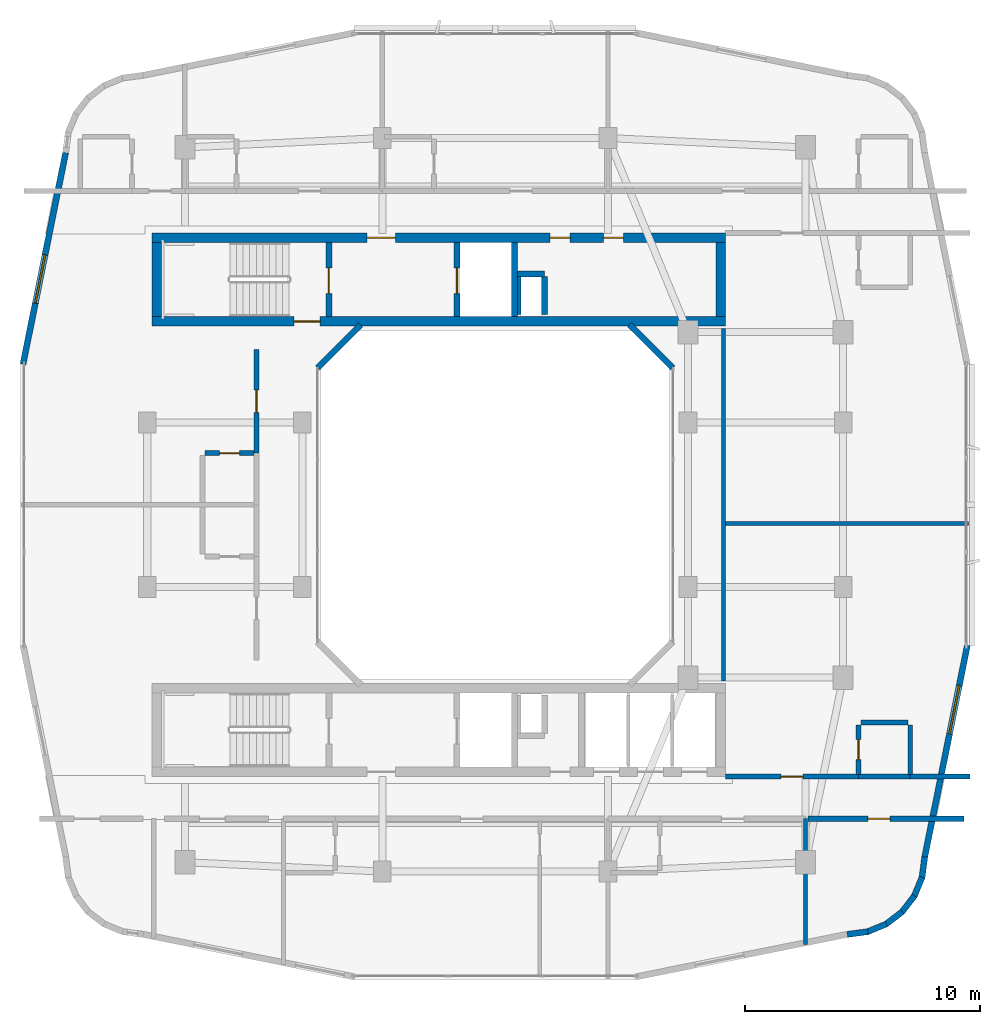
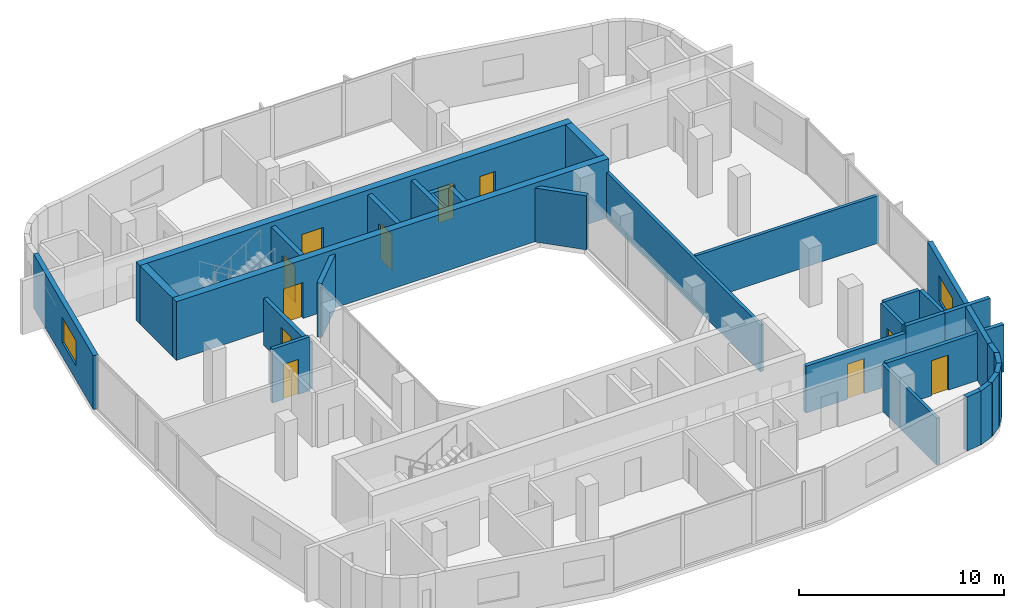
# One storey, part 8 of 14: 32 walls, 11 doors, 2 windows, 13 openings.
"""IFC4 building model written with IfcOpenShell, lengths in metres."""

from ifc_helpers import new_model, si_unit, derived_unit, direction, frame, frame_2d, origin, place, context, subcontext, project, spatial, rectangle, extrude, material, layer, layer_set, type_object, element, fill, save


model = new_model("IFC4")

# Units and contexts
model_context = context("Model", 3, precision=1e-05, world=origin(), true_north=direction((0.0, 1.0)))
body_context = subcontext(model_context, "Body", "Model", "MODEL_VIEW")
ifc_project = project(units=[si_unit("LENGTHUNIT", "METRE"), si_unit("AREAUNIT", "SQUARE_METRE"), si_unit("VOLUMEUNIT", "CUBIC_METRE"), si_unit("PLANEANGLEUNIT", "RADIAN"), si_unit("MASSUNIT", "GRAM", prefix="KILO"), derived_unit("THERMALTRANSMITTANCEUNIT", [(si_unit("POWERUNIT", "WATT"), 1), (si_unit("LENGTHUNIT", "METRE"), -2), (si_unit("THERMODYNAMICTEMPERATUREUNIT", "KELVIN"), -1)])], contexts=[model_context])

# Site, building, storey
site_placement = place(None, origin())
site = spatial("IfcSite", under=ifc_project, at=site_placement, CompositionType="ELEMENT")
building_placement = place(site_placement, origin())
building = spatial("IfcBuilding", under=site, at=building_placement, Name="Kivonza Crest Hotel", CompositionType="ELEMENT")
storey_placement = place(building_placement, frame((0.0, 0.0, 162.5)))
storey = spatial("IfcBuildingStorey", under=building, at=storey_placement, Name="L44", CompositionType="ELEMENT", Elevation=162.5)

# Walls
ifc_material_1 = material(Name="High-density acoustic masonry inter-tenancy wall", Category="masonry")
ifc_layer_1 = layer(ifc_material_1, 0.179931640625)
ifc_layer_set_1 = layer_set([ifc_layer_1], Name="High-density acoustic masonry inter-tenancy wall")
wall_type_1 = type_object("IfcWallType", Name="WL-ACOU-180", PredefinedType="SOLIDWALL", material=ifc_layer_set_1)
wall_1_placement = place(storey_placement, frame((34.199951171875, 6.299072265625, 0.0), z_axis=(0.0, 0.0, 1.0), x_axis=(0.0, 1.0, 0.0)))
element("IfcWall", 1, at=wall_1_placement, inside=storey, type_object=wall_type_1, Name="L44 interior partition WA-L44-T1S-DIV3", PredefinedType="SOLIDWALL", context=body_context, shape_type="SweptSolid", body=[
    extrude(rectangle(XDim=5.350830078125, YDim=0.179931640625, at=frame_2d((2.67529296875, 0.0))), origin(), (0.0, 0.0, 1.0), 2.794921875),
])
wall_2_placement = place(storey_placement, frame((30.800048828125, 24.199951171875, 0.0), z_axis=(0.0, 0.0, 1.0), x_axis=(1.0, 0.0, 0.0)))
element("IfcWall", 2, at=wall_2_placement, inside=storey, type_object=wall_type_1, Name="L44 interior partition WA-L44-T1EC-DIV", PredefinedType="SOLIDWALL", context=body_context, shape_type="SweptSolid", body=[
    extrude(rectangle(XDim=10.33984375, YDim=0.179931640625, at=frame_2d((5.169921875, 0.0))), origin(), (0.0, 0.0, 1.0), 2.8349609375),
])
wall_3_placement = place(storey_placement, frame((30.7099609375, 17.5, 0.0), z_axis=(0.0, 0.0, 1.0), x_axis=(0.0, 1.0, 0.0)))
element("IfcWall", 3, at=wall_3_placement, inside=storey, type_object=wall_type_1, Name="L44 interior partition WA-L44-T1EC-W", PredefinedType="SOLIDWALL", context=body_context, shape_type="SweptSolid", body=[
    extrude(rectangle(XDim=15.0, YDim=0.179931640625, at=frame_2d((7.5, 0.0))), origin(), (0.0, 0.0, 1.0), 2.794921875),
])

# Wall, opening, door
ifc_material_2 = material(Name="Autoclaved aerated concrete blockwork", Category="masonry")
ifc_layer_2 = layer(ifc_material_2, 0.219970703125)
ifc_layer_set_2 = layer_set([ifc_layer_2], Name="Autoclaved aerated concrete blockwork")
wall_type_2 = type_object("IfcWallType", Name="WL-ACOU-220", PredefinedType="SOLIDWALL", material=ifc_layer_set_2)
wall_4_placement = place(storey_placement, frame((34.300048828125, 11.64990234375, 0.0), z_axis=(0.0, 0.0, 1.0), x_axis=(1.0, 0.0, 0.0)))
wall_4 = element("IfcWall", 4, at=wall_4_placement, inside=storey, type_object=wall_type_2, Name="L44 interior partition WA-L44-BUS-MTG-N", PredefinedType="SOLIDWALL", context=body_context, shape_type="SweptSolid", body=[
    extrude(rectangle(XDim=6.639892578125, YDim=0.219970703125, at=frame_2d((3.31982421875, 0.0))), origin(), (0.0, 0.0, 1.0), 2.8349609375),
])
opening_1_placement = place(wall_4_placement, frame((2.550048828125, 0.0, 0.0)))
opening_1 = element("IfcOpeningElement", 5, at=opening_1_placement, cuts=wall_4, Name="Opening DF-60S", PredefinedType="OPENING", context=body_context, shape_type="SweptSolid", body=[
    extrude(rectangle(XDim=0.949951171875, YDim=2.10009765625, at=frame_2d((0.47509765625, 1.050048828125))), frame((0.0, 0.1201171875, 0.0), z_axis=(0.0, -1.0, 0.0), x_axis=(1.0, 0.0, 0.0)), (0.0, 0.0, 1.0), 0.239990234375),
])
ifc_material_3 = material(Name="Hardwood timber oak", Category="wood")
door_type_1 = type_object("IfcDoorType", Name="DR-FD60-950", OperationType="NOTDEFINED", PredefinedType="DOOR", material=ifc_material_3)
door_1_placement = place(opening_1_placement, frame((0.949951171875, 0.0, 0.0), z_axis=(0.0, 0.0, 1.0), x_axis=(-1.0, 0.0, 0.0)))
door_1 = element("IfcDoor", 6, at=door_1_placement, inside=storey, type_object=door_type_1, Name="L44 Private Fitness Gym Studio door", OperationType="SINGLE_SWING_RIGHT", OverallHeight=2.10009765625, OverallWidth=0.949951171875, PredefinedType="DOOR", context=body_context, shape_type="SweptSolid", body=[
    extrude(rectangle(XDim=0.949951171875, YDim=2.10009765625, at=frame_2d((0.47509765625, 1.050048828125))), frame((0.0, 0.02490234375, 0.0), z_axis=(0.0, -1.0, 0.0), x_axis=(1.0, 0.0, 0.0)), (0.0, 0.0, 1.0), 0.050048828125),
])
fill(opening_1, door_1)

wall_5_placement = place(storey_placement, frame((10.85009765625, 27.199951171875, 0.0), z_axis=(0.0, 0.0, 1.0), x_axis=(0.0, 1.0, 0.0)))
wall_5 = element("IfcWall", 7, at=wall_5_placement, inside=storey, type_object=wall_type_2, Name="L44 interior partition WA-L44-W08-MCORR", PredefinedType="SOLIDWALL", context=body_context, shape_type="SweptSolid", body=[
    extrude(rectangle(XDim=4.400146484375, YDim=0.219970703125, at=frame_2d((2.2001953125, 0.0))), origin(), (0.0, 0.0, 1.0), 2.794921875),
])
opening_2_placement = place(wall_5_placement, frame((1.72509765625, 0.0, 0.0)))
opening_2 = element("IfcOpeningElement", 8, at=opening_2_placement, cuts=wall_5, Name="Opening DU-60", PredefinedType="OPENING", context=body_context, shape_type="SweptSolid", body=[
    extrude(rectangle(XDim=0.949951171875, YDim=2.10009765625, at=frame_2d((0.47509765625, 1.050048828125))), frame((0.0, 0.1201171875, 0.0), z_axis=(0.0, -1.0, 0.0), x_axis=(1.0, 0.0, 0.0)), (0.0, 0.0, 1.0), 0.239990234375),
])
door_type_2 = type_object("IfcDoorType", Name="DR-UNIT-950", OperationType="NOTDEFINED", PredefinedType="DOOR", material=ifc_material_3)
door_2_placement = place(opening_2_placement, origin())
door_2 = element("IfcDoor", 9, at=door_2_placement, inside=storey, type_object=door_type_2, Name="L44 W08 guest unit entrance fire door", OperationType="SINGLE_SWING_RIGHT", OverallHeight=2.10009765625, OverallWidth=0.949951171875, PredefinedType="DOOR", context=body_context, shape_type="SweptSolid", body=[
    extrude(rectangle(XDim=0.949951171875, YDim=2.10009765625, at=frame_2d((0.47509765625, 1.050048828125))), frame((0.0, 0.02490234375, 0.0), z_axis=(0.0, -1.0, 0.0), x_axis=(1.0, 0.0, 0.0)), (0.0, 0.0, 1.0), 0.050048828125),
])
fill(opening_2, door_2)

# Walls
wall_6_placement = place(storey_placement, frame((38.64990234375, 13.43994140625, 0.0), z_axis=(0.0, 0.0, 1.0), x_axis=(1.0, 0.0, 0.0)))
element("IfcWall", 10, at=wall_6_placement, inside=storey, type_object=wall_type_2, Name="L44 interior partition WA-L44-ES09-XCORR", PredefinedType="SOLIDWALL", context=body_context, shape_type="SweptSolid", body=[
    extrude(rectangle(XDim=2.550048828125, YDim=0.219970703125, at=frame_2d((1.27490234375, 0.0))), origin(), (0.0, 0.0, 1.0), 3.219970703125),
])
wall_7_placement = place(storey_placement, frame((36.449951171875, 13.43994140625, 0.0), z_axis=(0.0, 0.0, 1.0), x_axis=(1.0, 0.0, 0.0)))
element("IfcWall", 11, at=wall_7_placement, inside=storey, type_object=wall_type_2, Name="L44 interior partition WA-L44-ES09-BCORR", PredefinedType="SOLIDWALL", context=body_context, shape_type="SweptSolid", body=[
    extrude(rectangle(XDim=2.199951171875, YDim=0.219970703125, at=frame_2d((1.10009765625, 0.0))), origin(), (0.0, 0.0, 1.0), 3.219970703125),
])

# Wall, opening, door
wall_8_placement = place(storey_placement, frame((30.800048828125, 13.43994140625, 0.0), z_axis=(0.0, 0.0, 1.0), x_axis=(1.0, 0.0, 0.0)))
wall_8 = element("IfcWall", 12, at=wall_8_placement, inside=storey, type_object=wall_type_2, Name="L44 interior partition WA-L44-ES09-MCORR", PredefinedType="SOLIDWALL", context=body_context, shape_type="SweptSolid", body=[
    extrude(rectangle(XDim=5.64990234375, YDim=0.219970703125, at=frame_2d((2.824951171875, 0.0))), origin(), (0.0, 0.0, 1.0), 2.794921875),
])
opening_3_placement = place(wall_8_placement, frame((2.35009765625, 0.0, 0.0)))
opening_3 = element("IfcOpeningElement", 13, at=opening_3_placement, cuts=wall_8, Name="Opening DU-60", PredefinedType="OPENING", context=body_context, shape_type="SweptSolid", body=[
    extrude(rectangle(XDim=0.949951171875, YDim=2.10009765625, at=frame_2d((0.47509765625, 1.050048828125))), frame((0.0, 0.1201171875, 0.0), z_axis=(0.0, -1.0, 0.0), x_axis=(1.0, 0.0, 0.0)), (0.0, 0.0, 1.0), 0.239990234375),
])
door_3_placement = place(opening_3_placement, origin())
door_3 = element("IfcDoor", 14, at=door_3_placement, inside=storey, type_object=door_type_2, Name="L44 ES09 guest unit entrance fire door", OperationType="SINGLE_SWING_RIGHT", OverallHeight=2.10009765625, OverallWidth=0.949951171875, PredefinedType="DOOR", context=body_context, shape_type="SweptSolid", body=[
    extrude(rectangle(XDim=0.949951171875, YDim=2.10009765625, at=frame_2d((0.47509765625, 1.050048828125))), frame((0.0, 0.02490234375, 0.0), z_axis=(0.0, -1.0, 0.0), x_axis=(1.0, 0.0, 0.0)), (0.0, 0.0, 1.0), 0.050048828125),
])
fill(opening_3, door_3)

ifc_material_4 = material(Name="Concrete C50/60", Category="concrete")
ifc_layer_3 = layer(ifc_material_4, 0.39990234375)
ifc_layer_set_3 = layer_set([ifc_layer_3], Name="Concrete C50/60")
wall_type_3 = type_object("IfcWallType", Name="WL-CORE-400", PredefinedType="SHEAR", material=ifc_layer_set_3)
wall_9_placement = place(storey_placement, frame((6.39990234375, 32.800048828125, 0.0), z_axis=(0.0, 0.0, 1.0), x_axis=(1.0, 0.0, 0.0)))
wall_9 = element("IfcWall", 15, at=wall_9_placement, inside=storey, type_object=wall_type_3, Name="Core wall T1-N South L44", PredefinedType="SHEAR", context=body_context, shape_type="SweptSolid", body=[
    extrude(rectangle(XDim=24.400146484375, YDim=0.39990234375, at=frame_2d((12.2001953125, 0.0))), origin(), (0.0, 0.0, 1.0), 3.5),
])
opening_4_placement = place(wall_9_placement, frame((6.050048828125, 0.0, 0.0)))
opening_4 = element("IfcOpeningElement", 16, at=opening_4_placement, cuts=wall_9, Name="Opening DF-120", PredefinedType="OPENING", context=body_context, shape_type="SweptSolid", body=[
    extrude(rectangle(XDim=1.10009765625, YDim=2.14990234375, at=frame_2d((0.550048828125, 1.074951171875))), frame((0.0, 0.2099609375, 0.0), z_axis=(0.0, -1.0, 0.0), x_axis=(1.0, 0.0, 0.0)), (0.0, 0.0, 1.0), 0.419921875),
])
ifc_material_5 = material(Name="Galvanised steel", Category="steel")
door_type_3 = type_object("IfcDoorType", Name="DR-FD120-1100", OperationType="NOTDEFINED", PredefinedType="DOOR", material=ifc_material_5)
door_4_placement = place(opening_4_placement, origin())
door_4 = element("IfcDoor", 17, at=door_4_placement, inside=storey, type_object=door_type_3, Name="L44 West corridor stair access fire door", OperationType="SINGLE_SWING_LEFT", OverallHeight=2.14990234375, OverallWidth=1.10009765625, PredefinedType="DOOR", context=body_context, shape_type="SweptSolid", body=[
    extrude(rectangle(XDim=1.10009765625, YDim=2.14990234375, at=frame_2d((0.550048828125, 1.074951171875))), frame((0.0, 0.02490234375, 0.0), z_axis=(0.0, -1.0, 0.0), x_axis=(1.0, 0.0, 0.0)), (0.0, 0.0, 1.0), 0.050048828125),
])
fill(opening_4, door_4)

# Wall, openings, doors
wall_10_placement = place(storey_placement, frame((6.39990234375, 36.360107421875, 0.0), z_axis=(0.0, 0.0, 1.0), x_axis=(1.0, 0.0, 0.0)))
wall_10 = element("IfcWall", 18, at=wall_10_placement, inside=storey, type_object=wall_type_3, Name="Core wall T1-N North L44", PredefinedType="SHEAR", context=body_context, shape_type="SweptSolid", body=[
    extrude(rectangle(XDim=24.400146484375, YDim=0.39990234375, at=frame_2d((12.2001953125, 0.0))), origin(), (0.0, 0.0, 1.0), 3.5),
])
opening_5_placement = place(wall_10_placement, frame((9.14990234375, 0.0, 0.0)))
opening_5 = element("IfcOpeningElement", 19, at=opening_5_placement, cuts=wall_10, Name="Opening DF-60", PredefinedType="OPENING", context=body_context, shape_type="SweptSolid", body=[
    extrude(rectangle(XDim=1.199951171875, YDim=2.14990234375, at=frame_2d((0.60009765625, 1.074951171875))), frame((0.0, 0.2099609375, 0.0), z_axis=(0.0, -1.0, 0.0), x_axis=(1.0, 0.0, 0.0)), (0.0, 0.0, 1.0), 0.419921875),
])
opening_6_placement = place(wall_10_placement, frame((19.199951171875, 0.0, 0.0)))
opening_6 = element("IfcOpeningElement", 20, at=opening_6_placement, cuts=wall_10, Name="Opening DF-60R", PredefinedType="OPENING", context=body_context, shape_type="SweptSolid", body=[
    extrude(rectangle(XDim=0.85009765625, YDim=2.10009765625, at=frame_2d((0.425048828125, 1.050048828125))), frame((0.0, 0.2099609375, 0.0), z_axis=(0.0, -1.0, 0.0), x_axis=(1.0, 0.0, 0.0)), (0.0, 0.0, 1.0), 0.419921875),
])
opening_7_placement = place(wall_10_placement, frame((16.93994140625, 0.0, 0.0)))
opening_7 = element("IfcOpeningElement", 21, at=opening_7_placement, cuts=wall_10, Name="Opening DF-60R", PredefinedType="OPENING", context=body_context, shape_type="SweptSolid", body=[
    extrude(rectangle(XDim=0.85009765625, YDim=2.10009765625, at=frame_2d((0.425048828125, 1.050048828125))), frame((0.0, 0.2099609375, 0.0), z_axis=(0.0, -1.0, 0.0), x_axis=(1.0, 0.0, 0.0)), (0.0, 0.0, 1.0), 0.419921875),
])
door_type_4 = type_object("IfcDoorType", Name="DR-FD60-1200", OperationType="NOTDEFINED", PredefinedType="DOOR", material=ifc_material_3)
door_5_placement = place(opening_5_placement, origin())
door_5 = element("IfcDoor", 22, at=door_5_placement, inside=storey, type_object=door_type_4, Name="L44 T1-N firefighting lobby fire door", OperationType="SINGLE_SWING_RIGHT", OverallHeight=2.14990234375, OverallWidth=1.199951171875, PredefinedType="DOOR", context=body_context, shape_type="SweptSolid", body=[
    extrude(rectangle(XDim=1.199951171875, YDim=2.14990234375, at=frame_2d((0.60009765625, 1.074951171875))), frame((0.0, 0.02490234375, 0.0), z_axis=(0.0, -1.0, 0.0), x_axis=(1.0, 0.0, 0.0)), (0.0, 0.0, 1.0), 0.050048828125),
])
fill(opening_5, door_5)
door_type_5 = type_object("IfcDoorType", Name="DR-FD60-850", OperationType="NOTDEFINED", PredefinedType="DOOR", material=ifc_material_3)
door_6_placement = place(opening_6_placement, origin())
door_6 = element("IfcDoor", 23, at=door_6_placement, inside=storey, type_object=door_type_5, Name="L44 T1-N reclaimed core service door", OperationType="SINGLE_SWING_LEFT", OverallHeight=2.10009765625, OverallWidth=0.85009765625, PredefinedType="DOOR", context=body_context, shape_type="SweptSolid", body=[
    extrude(rectangle(XDim=0.85009765625, YDim=2.10009765625, at=frame_2d((0.425048828125, 1.050048828125))), frame((0.0, 0.02490234375, 0.0), z_axis=(0.0, -1.0, 0.0), x_axis=(1.0, 0.0, 0.0)), (0.0, 0.0, 1.0), 0.050048828125),
])
fill(opening_6, door_6)
door_7_placement = place(opening_7_placement, origin())
door_7 = element("IfcDoor", 24, at=door_7_placement, inside=storey, type_object=door_type_5, Name="L44 T1-N core room door", OperationType="SINGLE_SWING_RIGHT", OverallHeight=2.10009765625, OverallWidth=0.85009765625, PredefinedType="DOOR", context=body_context, shape_type="SweptSolid", body=[
    extrude(rectangle(XDim=0.85009765625, YDim=2.10009765625, at=frame_2d((0.425048828125, 1.050048828125))), frame((0.0, 0.02490234375, 0.0), z_axis=(0.0, -1.0, 0.0), x_axis=(1.0, 0.0, 0.0)), (0.0, 0.0, 1.0), 0.050048828125),
])
fill(opening_7, door_7)

# Walls
for number, where, z_axis, x_axis, name in (
    (25, (6.60009765625, 33.0, 0.0), (0.0, 0.0, 1.0), (0.0, 1.0, 0.0), "Core wall T1-N West L44"),
    (26, (30.60009765625, 33.0, 0.0), (0.0, 0.0, 1.0), (0.0, 1.0, 0.0), "Core wall T1-N East L44"),
):
    element("IfcWall", number, at=place(storey_placement, frame(where, z_axis=z_axis, x_axis=x_axis)), inside=storey, type_object=wall_type_3, Name=name, PredefinedType="SHEAR", context=body_context, shape_type="SweptSolid", body=[
        extrude(rectangle(XDim=3.159912109375, YDim=0.39990234375, at=frame_2d((1.580078125, 0.0))), origin(), (0.0, 0.0, 1.0), 3.5),
    ])
ifc_material_6 = material(Name="Precast concrete C40/50", Category="concrete")
ifc_layer_4 = layer(ifc_material_6, 0.260009765625)
ifc_layer_set_4 = layer_set([ifc_layer_4], Name="Precast concrete C40/50")
wall_type_4 = type_object("IfcWallType", Name="WL-EXT-260", PredefinedType="STANDARD", material=ifc_layer_set_4)
wall_11_placement = place(storey_placement, frame((35.97509765625, 6.72802734375, 0.0), z_axis=(0.0, 0.0, 1.0), x_axis=(0.991388484223, 0.130953706898, 0.0)))
element("IfcWall", 27, at=wall_11_placement, inside=storey, type_object=wall_type_4, Name="L44 T1 exterior insulated wall 10", PredefinedType="STANDARD", context=body_context, shape_type="SweptSolid", body=[
    extrude(rectangle(XDim=0.885498046875, YDim=0.260009765625, at=frame_2d((0.44287109375, 0.0))), origin(), (0.0, 0.0, 1.0), 3.219970703125),
])
wall_12_placement = place(storey_placement, frame((36.806884765625, 6.825927734375, 0.0), z_axis=(0.0, 0.0, 1.0), x_axis=(0.923627776508, 0.383290660547, 0.0)))
element("IfcWall", 28, at=wall_12_placement, inside=storey, type_object=wall_type_4, Name="L44 T1 exterior insulated wall 11", PredefinedType="STANDARD", context=body_context, shape_type="SweptSolid", body=[
    extrude(rectangle(XDim=0.9033203125, YDim=0.260009765625, at=frame_2d((0.45166015625, 0.0))), origin(), (0.0, 0.0, 1.0), 3.219970703125),
])
wall_13_placement = place(storey_placement, frame((37.60107421875, 7.14404296875, 0.0), z_axis=(0.0, 0.0, 1.0), x_axis=(0.793458244748, 0.608624690463, 0.0)))
element("IfcWall", 29, at=wall_13_placement, inside=storey, type_object=wall_type_4, Name="L44 T1 exterior insulated wall 12", PredefinedType="STANDARD", context=body_context, shape_type="SweptSolid", body=[
    extrude(rectangle(XDim=0.902099609375, YDim=0.260009765625, at=frame_2d((0.451171875, 0.0))), origin(), (0.0, 0.0, 1.0), 3.219970703125),
])
wall_14_placement = place(storey_placement, frame((38.285888671875, 7.655029296875, 0.0), z_axis=(0.0, 0.0, 1.0), x_axis=(0.608494022858, 0.793558456666, 0.0)))
element("IfcWall", 30, at=wall_14_placement, inside=storey, type_object=wall_type_4, Name="L44 T1 exterior insulated wall 13", PredefinedType="STANDARD", context=body_context, shape_type="SweptSolid", body=[
    extrude(rectangle(XDim=0.90234375, YDim=0.260009765625, at=frame_2d((0.451171875, 0.0))), origin(), (0.0, 0.0, 1.0), 3.219970703125),
])
wall_15_placement = place(storey_placement, frame((38.81396484375, 8.326904296875, 0.0), z_axis=(0.0, 0.0, 1.0), x_axis=(0.383155708213, 0.923683767999, 0.0)))
element("IfcWall", 31, at=wall_15_placement, inside=storey, type_object=wall_type_4, Name="L44 T1 exterior insulated wall 14", PredefinedType="STANDARD", context=body_context, shape_type="SweptSolid", body=[
    extrude(rectangle(XDim=0.90283203125, YDim=0.260009765625, at=frame_2d((0.451416015625, 0.0))), origin(), (0.0, 0.0, 1.0), 3.219970703125),
])
wall_16_placement = place(storey_placement, frame((39.152099609375, 9.112060546875, 0.0), z_axis=(0.0, 0.0, 1.0), x_axis=(0.130200706103, 0.991487658083, 0.0)))
element("IfcWall", 32, at=wall_16_placement, inside=storey, type_object=wall_type_4, Name="L44 T1 exterior insulated wall 15", PredefinedType="STANDARD", context=body_context, shape_type="SweptSolid", body=[
    extrude(rectangle(XDim=0.920654296875, YDim=0.260009765625, at=frame_2d((0.46044921875, 0.0))), origin(), (0.0, 0.0, 1.0), 3.219970703125),
])

# Wall, opening, window
wall_17_placement = place(storey_placement, frame((39.27099609375, 10.01806640625, 0.0), z_axis=(0.0, 0.0, 1.0), x_axis=(0.197435082048, 0.980315963543, 0.0)))
wall_17 = element("IfcWall", 33, at=wall_17_placement, inside=storey, type_object=wall_type_4, Name="L44 T1 exterior insulated wall 16", PredefinedType="STANDARD", context=body_context, shape_type="SweptSolid", body=[
    extrude(rectangle(XDim=9.1826171875, YDim=0.260009765625, at=frame_2d((4.59130859375, 0.0))), origin(), (0.0, 0.0, 1.0), 3.219970703125),
])
opening_8_placement = place(wall_17_placement, frame((5.34912109375, 0.0, 0.85009765625)))
opening_8 = element("IfcOpeningElement", 34, at=opening_8_placement, cuts=wall_17, Name="Opening WN-04", PredefinedType="OPENING", context=body_context, shape_type="SweptSolid", body=[
    extrude(rectangle(XDim=2.10009765625, YDim=1.5, at=frame_2d((1.050048828125, 0.75))), frame((0.0, 0.14013671875, 0.0), z_axis=(0.0, -1.0, 0.0), x_axis=(1.0, 0.0, 0.0)), (0.0, 0.0, 1.0), 0.280029296875),
])
ifc_material_7 = material(Name="Thermally broken bronze aluminium and low-E double glazing", Category="aluminium")
window_type = type_object("IfcWindowType", Name="WN-210x150", PartitioningType="DOUBLE_PANEL_VERTICAL", PredefinedType="WINDOW", material=ifc_material_7)
window_1_placement = place(opening_8_placement, origin())
window_1 = element("IfcWindow", 35, at=window_1_placement, inside=storey, type_object=window_type, Name="L44 T1 facade window 16", OverallHeight=1.5, OverallWidth=2.10009765625, PartitioningType="SINGLE_PANEL", PredefinedType="WINDOW", context=body_context, shape_type="SweptSolid", body=[
    extrude(rectangle(XDim=2.10009765625, YDim=1.5, at=frame_2d((1.050048828125, 0.75))), frame((0.0, 0.030029296875, 0.0), z_axis=(0.0, -1.0, 0.0), x_axis=(1.0, 0.0, 0.0)), (0.0, 0.0, 1.0), 0.06005859375),
])
fill(opening_8, window_1)

wall_18_placement = place(storey_placement, frame((2.72900390625, 39.98193359375, 0.0), z_axis=(0.0, 0.0, 1.0), x_axis=(-0.197435082048, -0.980315963543, 0.0)))
wall_18 = element("IfcWall", 36, at=wall_18_placement, inside=storey, type_object=wall_type_4, Name="L44 T1 exterior insulated wall 34", PredefinedType="STANDARD", context=body_context, shape_type="SweptSolid", body=[
    extrude(rectangle(XDim=9.1826171875, YDim=0.260009765625, at=frame_2d((4.59130859375, 0.0))), origin(), (0.0, 0.0, 1.0), 3.219970703125),
])
opening_9_placement = place(wall_18_placement, frame((4.43603515625, 0.0, 0.85009765625)))
opening_9 = element("IfcOpeningElement", 37, at=opening_9_placement, cuts=wall_18, Name="Opening WN-04", PredefinedType="OPENING", context=body_context, shape_type="SweptSolid", body=[
    extrude(rectangle(XDim=2.10009765625, YDim=1.5, at=frame_2d((1.050048828125, 0.75))), frame((0.0, 0.14013671875, 0.0), z_axis=(0.0, -1.0, 0.0), x_axis=(1.0, 0.0, 0.0)), (0.0, 0.0, 1.0), 0.280029296875),
])
window_2_placement = place(opening_9_placement, origin())
window_2 = element("IfcWindow", 38, at=window_2_placement, inside=storey, type_object=window_type, Name="L44 T1 facade window 34", OverallHeight=1.5, OverallWidth=2.10009765625, PartitioningType="SINGLE_PANEL", PredefinedType="WINDOW", context=body_context, shape_type="SweptSolid", body=[
    extrude(rectangle(XDim=2.10009765625, YDim=1.5, at=frame_2d((1.050048828125, 0.75))), frame((0.0, 0.030029296875, 0.0), z_axis=(0.0, -1.0, 0.0), x_axis=(1.0, 0.0, 0.0)), (0.0, 0.0, 1.0), 0.06005859375),
])
fill(opening_9, window_2)

# Walls
for number, where, z_axis, x_axis, name in (
    (39, (28.555908203125, 30.827880859375, 0.0), (0.0, 0.0, 1.0), (-0.707059717605, 0.707153841636, 0.0), "L44 T1 light-well exterior wall 4"),
    (40, (15.278076171875, 32.662109375, 0.0), (0.0, 0.0, 1.0), (-0.707059717605, -0.707153841636, 0.0), "L44 T1 light-well exterior wall 6"),
):
    element("IfcWall", number, at=place(storey_placement, frame(where, z_axis=z_axis, x_axis=x_axis)), inside=storey, type_object=wall_type_4, Name=name, PredefinedType="STANDARD", context=body_context, shape_type="SweptSolid", body=[
        extrude(rectangle(XDim=2.59375, YDim=0.260009765625, at=frame_2d((1.296875, 0.0))), origin(), (0.0, 0.0, 1.0), 3.219970703125),
    ])
ifc_material_8 = material(Name="Concrete blockwork fire-compartment wall", Category="masonry")
ifc_layer_5 = layer(ifc_material_8, 0.25)
ifc_layer_set_5 = layer_set([ifc_layer_5], Name="Concrete blockwork fire-compartment wall")
wall_type_5 = type_object("IfcWallType", Name="WL-FIRE-250", PredefinedType="SOLIDWALL", material=ifc_layer_set_5)
wall_19_placement = place(storey_placement, frame((23.10009765625, 33.10009765625, 0.0), z_axis=(0.0, 0.0, 1.0), x_axis=(0.0, 1.0, 0.0)))
element("IfcWall", 41, at=wall_19_placement, inside=storey, type_object=wall_type_5, Name="L44 interior partition WA-L44-T1-N-MEPR-E", PredefinedType="SOLIDWALL", context=body_context, shape_type="SweptSolid", body=[
    extrude(rectangle(XDim=1.619873046875, YDim=0.25, at=frame_2d((0.81005859375, 0.0))), origin(), (0.0, 0.0, 1.0), 3.219970703125),
])
wall_20_placement = place(storey_placement, frame((21.949951171875, 34.820068359375, 0.0), z_axis=(0.0, 0.0, 1.0), x_axis=(1.0, 0.0, 0.0)))
element("IfcWall", 42, at=wall_20_placement, inside=storey, type_object=wall_type_5, Name="L44 interior partition WA-L44-T1-N-MEPR-H", PredefinedType="SOLIDWALL", context=body_context, shape_type="SweptSolid", body=[
    extrude(rectangle(XDim=1.150146484375, YDim=0.25, at=frame_2d((0.5751953125, 0.0))), origin(), (0.0, 0.0, 1.0), 3.219970703125),
])
ifc_material_9 = material(Name="Twin-stud acoustic gypsum board partition", Category="gypsum")
ifc_layer_6 = layer(ifc_material_9, 0.14990234375)
ifc_layer_set_6 = layer_set([ifc_layer_6], Name="Twin-stud acoustic gypsum board partition")
wall_type_6 = type_object("IfcWallType", Name="WL-PART-150", PredefinedType="PARTITIONING", material=ifc_layer_set_6)
wall_21_placement = place(storey_placement, frame((22.030029296875, 33.10009765625, 0.0), z_axis=(0.0, 0.0, 1.0), x_axis=(0.0, 1.0, 0.0)))
element("IfcWall", 43, at=wall_21_placement, inside=storey, type_object=wall_type_6, Name="L44 interior partition WA-L44-T1-N-MEPR-W", PredefinedType="PARTITIONING", context=body_context, shape_type="SweptSolid", body=[
    extrude(rectangle(XDim=1.619873046875, YDim=0.14990234375, at=frame_2d((0.81005859375, 0.0))), origin(), (0.0, 0.0, 1.0), 3.219970703125),
])

# Wall, opening, door
ifc_material_10 = material(Name="Moisture-resistant plumbing chase partition wall", Category="gypsum")
ifc_layer_7 = layer(ifc_material_10, 0.199951171875)
ifc_layer_set_7 = layer_set([ifc_layer_7], Name="Moisture-resistant plumbing chase partition wall")
wall_type_7 = type_object("IfcWallType", Name="WL-PLUMB-200", PredefinedType="PLUMBINGWALL", material=ifc_layer_set_7)
wall_22_placement = place(storey_placement, frame((8.64990234375, 27.199951171875, 0.0), z_axis=(0.0, 0.0, 1.0), x_axis=(1.0, 0.0, 0.0)))
wall_22 = element("IfcWall", 44, at=wall_22_placement, inside=storey, type_object=wall_type_7, Name="L44 interior partition WW-L44-W08-BH", PredefinedType="PLUMBINGWALL", context=body_context, shape_type="SweptSolid", body=[
    extrude(rectangle(XDim=2.10009765625, YDim=0.199951171875, at=frame_2d((1.050048828125, 0.0))), origin(), (0.0, 0.0, 1.0), 3.219970703125),
])
opening_10_placement = place(wall_22_placement, frame((0.625, 0.0, 0.0)))
opening_10 = element("IfcOpeningElement", 45, at=opening_10_placement, cuts=wall_22, Name="Opening DI-85", PredefinedType="OPENING", context=body_context, shape_type="SweptSolid", body=[
    extrude(rectangle(XDim=0.85009765625, YDim=2.10009765625, at=frame_2d((0.425048828125, 1.050048828125))), frame((0.0, 0.10986328125, 0.0), z_axis=(0.0, -1.0, 0.0), x_axis=(1.0, 0.0, 0.0)), (0.0, 0.0, 1.0), 0.219970703125),
])
door_type_6 = type_object("IfcDoorType", Name="DR-INT-850", OperationType="NOTDEFINED", PredefinedType="DOOR", material=ifc_material_3)
door_8_placement = place(opening_10_placement, origin())
door_8 = element("IfcDoor", 46, at=door_8_placement, inside=storey, type_object=door_type_6, Name="L44 W08 en-suite bathroom door", OperationType="SINGLE_SWING_LEFT", OverallHeight=2.10009765625, OverallWidth=0.85009765625, PredefinedType="DOOR", context=body_context, shape_type="SweptSolid", body=[
    extrude(rectangle(XDim=0.85009765625, YDim=2.10009765625, at=frame_2d((0.425048828125, 1.050048828125))), frame((0.0, 0.02490234375, 0.0), z_axis=(0.0, -1.0, 0.0), x_axis=(1.0, 0.0, 0.0)), (0.0, 0.0, 1.0), 0.050048828125),
])
fill(opening_10, door_8)

wall_23_placement = place(storey_placement, frame((36.449951171875, 13.5400390625, 0.0), z_axis=(0.0, 0.0, 1.0), x_axis=(0.0, 1.0, 0.0)))
wall_23 = element("IfcWall", 47, at=wall_23_placement, inside=storey, type_object=wall_type_7, Name="L44 interior partition WW-L44-ES09-BV", PredefinedType="PLUMBINGWALL", context=body_context, shape_type="SweptSolid", body=[
    extrude(rectangle(XDim=2.099853515625, YDim=0.199951171875, at=frame_2d((1.0498046875, 0.0))), origin(), (0.0, 0.0, 1.0), 3.219970703125),
])
opening_11_placement = place(wall_23_placement, frame((0.625, 0.0, 0.0)))
opening_11 = element("IfcOpeningElement", 48, at=opening_11_placement, cuts=wall_23, Name="Opening DI-85", PredefinedType="OPENING", context=body_context, shape_type="SweptSolid", body=[
    extrude(rectangle(XDim=0.85009765625, YDim=2.10009765625, at=frame_2d((0.425048828125, 1.050048828125))), frame((0.0, 0.10986328125, 0.0), z_axis=(0.0, -1.0, 0.0), x_axis=(1.0, 0.0, 0.0)), (0.0, 0.0, 1.0), 0.219970703125),
])
door_9_placement = place(opening_11_placement, origin())
door_9 = element("IfcDoor", 49, at=door_9_placement, inside=storey, type_object=door_type_6, Name="L44 ES09 en-suite bathroom door", OperationType="SINGLE_SWING_LEFT", OverallHeight=2.10009765625, OverallWidth=0.85009765625, PredefinedType="DOOR", context=body_context, shape_type="SweptSolid", body=[
    extrude(rectangle(XDim=0.85009765625, YDim=2.10009765625, at=frame_2d((0.425048828125, 1.050048828125))), frame((0.0, 0.02490234375, 0.0), z_axis=(0.0, -1.0, 0.0), x_axis=(1.0, 0.0, 0.0)), (0.0, 0.0, 1.0), 0.050048828125),
])
fill(opening_11, door_9)

# Walls
wall_24_placement = place(storey_placement, frame((36.550048828125, 15.739990234375, 0.0), z_axis=(0.0, 0.0, 1.0), x_axis=(1.0, 0.0, 0.0)))
element("IfcWall", 50, at=wall_24_placement, inside=storey, type_object=wall_type_7, Name="L44 interior partition WW-L44-ES09-BH", PredefinedType="PLUMBINGWALL", context=body_context, shape_type="SweptSolid", body=[
    extrude(rectangle(XDim=2.0, YDim=0.199951171875, at=frame_2d((1.0, 0.0))), origin(), (0.0, 0.0, 1.0), 3.219970703125),
])
wall_25_placement = place(storey_placement, frame((38.64990234375, 13.5400390625, 0.0), z_axis=(0.0, 0.0, 1.0), x_axis=(0.0, 1.0, 0.0)))
element("IfcWall", 51, at=wall_25_placement, inside=storey, type_object=wall_type_7, Name="L44 interior partition WW-L44-ES09-BVE", PredefinedType="PLUMBINGWALL", context=body_context, shape_type="SweptSolid", body=[
    extrude(rectangle(XDim=2.099853515625, YDim=0.199951171875, at=frame_2d((1.0498046875, 0.0))), origin(), (0.0, 0.0, 1.0), 3.219970703125),
])

# Wall, opening, door
ifc_layer_8 = layer(ifc_material_4, 0.25)
ifc_layer_set_8 = layer_set([ifc_layer_8], Name="Concrete C50/60")
wall_type_8 = type_object("IfcWallType", Name="WL-SHAFT-250", PredefinedType="STANDARD", material=ifc_layer_set_8)
wall_26_placement = place(storey_placement, frame((13.925048828125, 33.0, 0.0), z_axis=(0.0, 0.0, 1.0), x_axis=(0.0, 1.0, 0.0)))
wall_26 = element("IfcWall", 52, at=wall_26_placement, inside=storey, type_object=wall_type_8, Name="Core shaft wall T1-N STAIR L44", PredefinedType="STANDARD", context=body_context, shape_type="SweptSolid", body=[
    extrude(rectangle(XDim=3.159912109375, YDim=0.25, at=frame_2d((1.580078125, 0.0))), origin(), (0.0, 0.0, 1.0), 3.219970703125),
])
opening_12_placement = place(wall_26_placement, frame((0.97998046875, 0.0, 0.0)))
opening_12 = element("IfcOpeningElement", 53, at=opening_12_placement, cuts=wall_26, Name="Opening DF-120", PredefinedType="OPENING", context=body_context, shape_type="SweptSolid", body=[
    extrude(rectangle(XDim=1.10009765625, YDim=2.14990234375, at=frame_2d((0.550048828125, 1.074951171875))), frame((0.0, 0.135009765625, 0.0), z_axis=(0.0, -1.0, 0.0), x_axis=(1.0, 0.0, 0.0)), (0.0, 0.0, 1.0), 0.27001953125),
])
door_10_placement = place(opening_12_placement, frame((1.10009765625, 0.0, 0.0), z_axis=(0.0, 0.0, 1.0), x_axis=(-1.0, 0.0, 0.0)))
door_10 = element("IfcDoor", 54, at=door_10_placement, inside=storey, type_object=door_type_3, Name="L44 T1-N stair fire door", OperationType="SINGLE_SWING_LEFT", OverallHeight=2.14990234375, OverallWidth=1.10009765625, PredefinedType="DOOR", context=body_context, shape_type="SweptSolid", body=[
    extrude(rectangle(XDim=1.10009765625, YDim=2.14990234375, at=frame_2d((0.550048828125, 1.074951171875))), frame((0.0, 0.02490234375, 0.0), z_axis=(0.0, -1.0, 0.0), x_axis=(1.0, 0.0, 0.0)), (0.0, 0.0, 1.0), 0.050048828125),
])
fill(opening_12, door_10)

wall_27_placement = place(storey_placement, frame((19.375, 33.0, 0.0), z_axis=(0.0, 0.0, 1.0), x_axis=(0.0, 1.0, 0.0)))
wall_27 = element("IfcWall", 55, at=wall_27_placement, inside=storey, type_object=wall_type_8, Name="Core shaft wall T1-N FFL-W L44", PredefinedType="STANDARD", context=body_context, shape_type="SweptSolid", body=[
    extrude(rectangle(XDim=3.159912109375, YDim=0.25, at=frame_2d((1.580078125, 0.0))), origin(), (0.0, 0.0, 1.0), 3.219970703125),
])
opening_13_placement = place(wall_27_placement, frame((0.97998046875, 0.0, 0.0)))
opening_13 = element("IfcOpeningElement", 56, at=opening_13_placement, cuts=wall_27, Name="Opening LD-120", PredefinedType="OPENING", context=body_context, shape_type="SweptSolid", body=[
    extrude(rectangle(XDim=1.10009765625, YDim=2.14990234375, at=frame_2d((0.550048828125, 1.074951171875))), frame((0.0, 0.135009765625, 0.0), z_axis=(0.0, -1.0, 0.0), x_axis=(1.0, 0.0, 0.0)), (0.0, 0.0, 1.0), 0.27001953125),
])
ifc_material_11 = material(Name="Stainless steel", Category="steel")
door_type_7 = type_object("IfcDoorType", Name="DR-LD120-1100", OperationType="NOTDEFINED", PredefinedType="DOOR", material=ifc_material_11)
door_11_placement = place(opening_13_placement, origin())
door_11 = element("IfcDoor", 57, at=door_11_placement, inside=storey, type_object=door_type_7, Name="L44 FFL-T1-N firefighting lift sliding landing door", OperationType="DOUBLE_DOOR_SLIDING", OverallHeight=2.14990234375, OverallWidth=1.10009765625, PredefinedType="DOOR", context=body_context, shape_type="SweptSolid", body=[
    extrude(rectangle(XDim=1.10009765625, YDim=2.14990234375, at=frame_2d((0.550048828125, 1.074951171875))), frame((0.0, 0.02490234375, 0.0), z_axis=(0.0, -1.0, 0.0), x_axis=(1.0, 0.0, 0.0)), (0.0, 0.0, 1.0), 0.050048828125),
])
fill(opening_13, door_11)

# Wall
wall_28_placement = place(storey_placement, frame((21.824951171875, 33.0, 0.0), z_axis=(0.0, 0.0, 1.0), x_axis=(0.0, 1.0, 0.0)))
element("IfcWall", 58, at=wall_28_placement, inside=storey, type_object=wall_type_8, Name="Core shaft wall T1-N FFL-E L44", PredefinedType="STANDARD", context=body_context, shape_type="SweptSolid", body=[
    extrude(rectangle(XDim=3.159912109375, YDim=0.25, at=frame_2d((1.580078125, 0.0))), origin(), (0.0, 0.0, 1.0), 3.219970703125),
])

save(model, "model.ifc")
